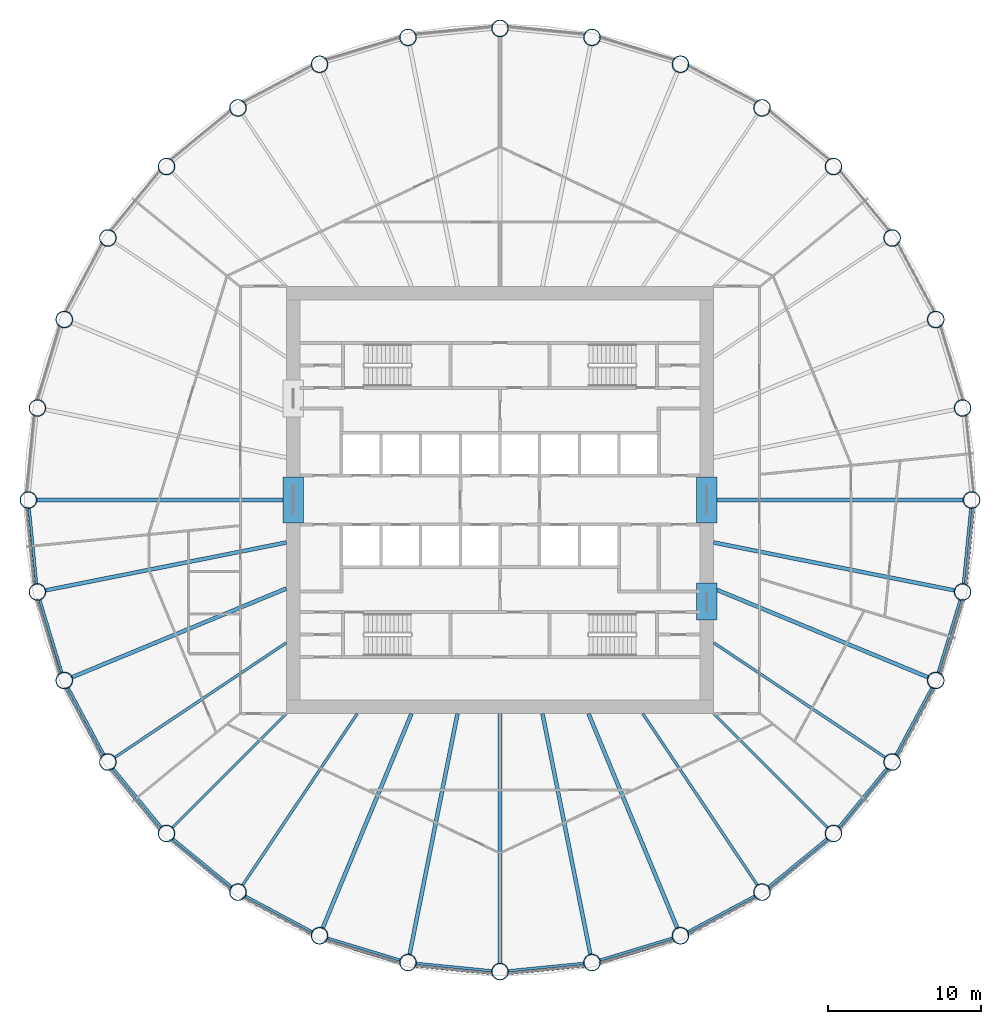
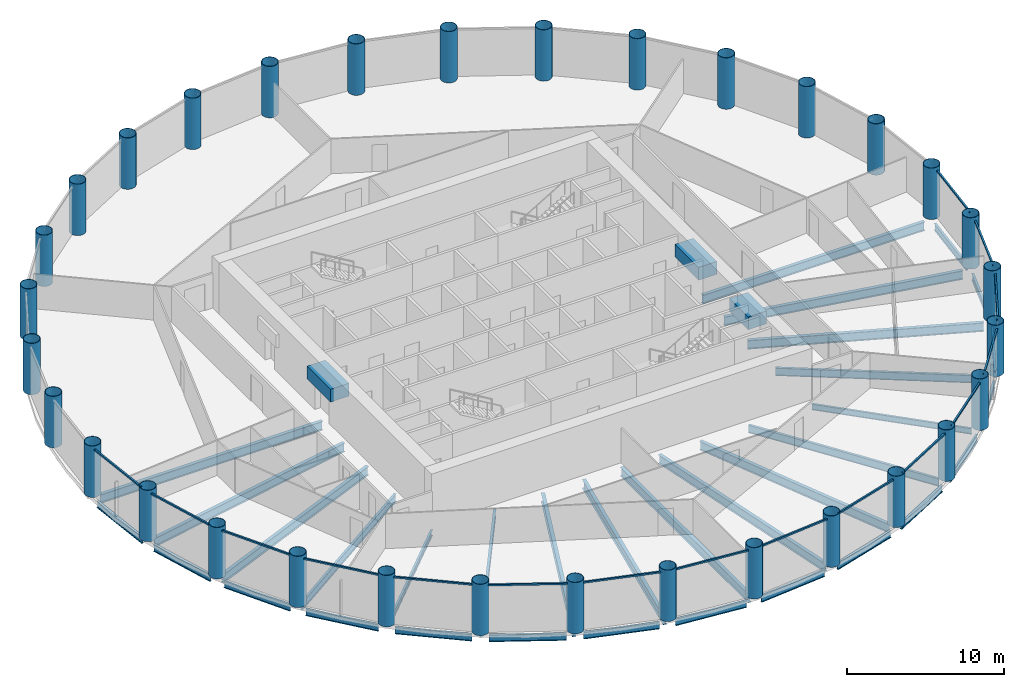
# One storey, part 1 of 9: 36 beams, 32 columns, 16 members, 16 elements without a shape of their own.
"""IFC4 building model written with IfcOpenShell, lengths in metres."""

from ifc_helpers import new_model, si_unit, direction, frame, origin, origin_2d, place, context, subcontext, project, spatial, rectangle, hollow_circle, i_section, extrude, material, material_profile, profile_set, type_object, element, aggregate, save


model = new_model("IFC4")

# Units and contexts
model_context = context("Model", 3, precision=1e-05, world=origin(), true_north=direction((0.0, 1.0)))
body_context = subcontext(model_context, "Body", "Model", "MODEL_VIEW")
ifc_project = project(units=[si_unit("LENGTHUNIT", "METRE"), si_unit("AREAUNIT", "SQUARE_METRE"), si_unit("VOLUMEUNIT", "CUBIC_METRE"), si_unit("PLANEANGLEUNIT", "RADIAN"), si_unit("MASSUNIT", "GRAM", prefix="KILO")], contexts=[model_context])

# Site, building, storey
site_placement = place(None, origin())
site = spatial("IfcSite", under=ifc_project, at=site_placement, CompositionType="ELEMENT")
building_placement = place(site_placement, origin())
building = spatial("IfcBuilding", under=site, at=building_placement, Name="Corvane Civic Tower", CompositionType="ELEMENT")
storey_placement = place(building_placement, frame((0.0, 0.0, 172.0)))
storey = spatial("IfcBuildingStorey", under=building, at=storey_placement, Name="L40", CompositionType="ELEMENT", Elevation=172.0)

# Columns
ifc_material_1 = material(Name="Steel ASTM A572 Gr 50", Category="steel")
ifc_material_profile_1 = material_profile(ifc_material_1, hollow_circle(Radius=0.550048828125, WallThickness=0.031982421875, at=origin_2d()), Name="CHS1100X32")
ifc_profile_set_1 = profile_set([ifc_material_profile_1], Name="Steel ASTM A572 Gr 50")
column_type = type_object("IfcColumnType", Name="COMPOSITE COLUMN CHS1100X32", PredefinedType="COLUMN", material=ifc_profile_set_1)
for number, where, z_axis, x_axis, name in (
    (1, (0.0, 30.89990234375, 0.0), (0.0, 0.0, 1.0), (1.0, 0.0, 0.0), "COL-L40-C01"),
    (2, (6.0283203125, 30.30615234375, 0.0), (0.0, 0.0, 1.0), (1.0, 0.0, 0.0), "COL-L40-C02"),
    (3, (11.824951171875, 28.5478515625, 0.0), (0.0, 0.0, 1.0), (1.0, 0.0, 0.0), "COL-L40-C03"),
    (4, (17.167236328125, 25.6923828125, 0.0), (0.0, 0.0, 1.0), (1.0, 0.0, 0.0), "COL-L40-C04"),
    (5, (21.849609375, 21.849609375, 0.0), (0.0, 0.0, 1.0), (1.0, 0.0, 0.0), "COL-L40-C05"),
    (6, (25.6923828125, 17.167236328125, 0.0), (0.0, 0.0, 1.0), (1.0, 0.0, 0.0), "COL-L40-C06"),
    (7, (28.5478515625, 11.824951171875, 0.0), (0.0, 0.0, 1.0), (1.0, 0.0, 0.0), "COL-L40-C07"),
    (8, (30.30615234375, 6.0283203125, 0.0), (0.0, 0.0, 1.0), (1.0, 0.0, 0.0), "COL-L40-C08"),
    (9, (30.89990234375, 0.0, 0.0), (0.0, 0.0, 1.0), (1.0, 0.0, 0.0), "COL-L40-C09"),
    (10, (30.30615234375, -6.0283203125, 0.0), (0.0, 0.0, 1.0), (1.0, 0.0, 0.0), "COL-L40-C10"),
    (11, (28.5478515625, -11.824951171875, 0.0), (0.0, 0.0, 1.0), (1.0, 0.0, 0.0), "COL-L40-C11"),
    (12, (25.6923828125, -17.167236328125, 0.0), (0.0, 0.0, 1.0), (1.0, 0.0, 0.0), "COL-L40-C12"),
    (13, (21.849609375, -21.849609375, 0.0), (0.0, 0.0, 1.0), (1.0, 0.0, 0.0), "COL-L40-C13"),
    (14, (17.167236328125, -25.6923828125, 0.0), (0.0, 0.0, 1.0), (1.0, 0.0, 0.0), "COL-L40-C14"),
    (15, (11.824951171875, -28.5478515625, 0.0), (0.0, 0.0, 1.0), (1.0, 0.0, 0.0), "COL-L40-C15"),
    (16, (6.0283203125, -30.30615234375, 0.0), (0.0, 0.0, 1.0), (1.0, 0.0, 0.0), "COL-L40-C16"),
    (17, (0.0, -30.89990234375, 0.0), (0.0, 0.0, 1.0), (1.0, 0.0, 0.0), "COL-L40-C17"),
    (18, (-6.0283203125, -30.30615234375, 0.0), (0.0, 0.0, 1.0), (1.0, 0.0, 0.0), "COL-L40-C18"),
    (19, (-11.824951171875, -28.5478515625, 0.0), (0.0, 0.0, 1.0), (1.0, 0.0, 0.0), "COL-L40-C19"),
    (20, (-17.167236328125, -25.6923828125, 0.0), (0.0, 0.0, 1.0), (1.0, 0.0, 0.0), "COL-L40-C20"),
    (21, (-21.849609375, -21.849609375, 0.0), (0.0, 0.0, 1.0), (1.0, 0.0, 0.0), "COL-L40-C21"),
    (22, (-25.6923828125, -17.167236328125, 0.0), (0.0, 0.0, 1.0), (1.0, 0.0, 0.0), "COL-L40-C22"),
    (23, (-28.5478515625, -11.824951171875, 0.0), (0.0, 0.0, 1.0), (1.0, 0.0, 0.0), "COL-L40-C23"),
    (24, (-30.30615234375, -6.0283203125, 0.0), (0.0, 0.0, 1.0), (1.0, 0.0, 0.0), "COL-L40-C24"),
    (25, (-30.89990234375, 0.0, 0.0), (0.0, 0.0, 1.0), (1.0, 0.0, 0.0), "COL-L40-C25"),
    (26, (-30.30615234375, 6.0283203125, 0.0), (0.0, 0.0, 1.0), (1.0, 0.0, 0.0), "COL-L40-C26"),
    (27, (-28.5478515625, 11.824951171875, 0.0), (0.0, 0.0, 1.0), (1.0, 0.0, 0.0), "COL-L40-C27"),
    (28, (-25.6923828125, 17.167236328125, 0.0), (0.0, 0.0, 1.0), (1.0, 0.0, 0.0), "COL-L40-C28"),
    (29, (-21.849609375, 21.849609375, 0.0), (0.0, 0.0, 1.0), (1.0, 0.0, 0.0), "COL-L40-C29"),
    (30, (-17.167236328125, 25.6923828125, 0.0), (0.0, 0.0, 1.0), (1.0, 0.0, 0.0), "COL-L40-C30"),
    (31, (-11.824951171875, 28.5478515625, 0.0), (0.0, 0.0, 1.0), (1.0, 0.0, 0.0), "COL-L40-C31"),
    (32, (-6.0283203125, 30.30615234375, 0.0), (0.0, 0.0, 1.0), (1.0, 0.0, 0.0), "COL-L40-C32"),
):
    element("IfcColumn", number, at=place(storey_placement, frame(where, z_axis=z_axis, x_axis=x_axis)), inside=storey, type_object=column_type, Name=name, PredefinedType="COLUMN", context=body_context, shape_type="SweptSolid", body=[
        extrude(hollow_circle(Radius=0.550048828125, WallThickness=0.031982421875, at=origin_2d()), origin(), (0.0, 0.0, 1.0), 4.0),
    ])

# Beams
ifc_material_2 = material(Name="Concrete C60/75", Category="concrete")
ifc_material_profile_2 = material_profile(ifc_material_2, rectangle(XDim=1.35009765625, YDim=1.0, at=origin_2d()), Name="COUPLING BEAM 1350X1000")
ifc_profile_set_2 = profile_set([ifc_material_profile_2], Name="Concrete C60/75")
beam_type_1 = type_object("IfcBeamType", Name="COUPLING BEAM COUPLING BEAM 1350X1000", PredefinedType="BEAM", material=ifc_profile_set_2)
for number, where, z_axis, x_axis, name in (
    (33, (-13.550048828125, -1.5, 2.60009765625), (0.0, 1.0, 0.0), (-1.0, 0.0, 0.0), "BM-L40-cpl-CW-LW"),
    (34, (13.550048828125, -1.5, 2.60009765625), (0.0, 1.0, 0.0), (-1.0, 0.0, 0.0), "BM-L40-cpl-CW-LE"),
):
    element("IfcBeam", number, at=place(storey_placement, frame(where, z_axis=z_axis, x_axis=x_axis)), inside=storey, type_object=beam_type_1, Name=name, PredefinedType="BEAM", context=body_context, shape_type="SweptSolid", body=[
        extrude(rectangle(XDim=1.35009765625, YDim=1.0, at=origin_2d()), origin(), (0.0, 0.0, 1.0), 3.0),
    ])
beam_1_placement = place(storey_placement, frame((13.550048828125, -7.85009765625, 2.60009765625), z_axis=(0.0, 1.0, 0.0), x_axis=(-1.0, 0.0, 0.0)))
element("IfcBeam", 35, at=beam_1_placement, inside=storey, type_object=beam_type_1, Name="BM-L40-cpl-CW-ES", PredefinedType="BEAM", context=body_context, shape_type="SweptSolid", body=[
    extrude(rectangle(XDim=1.35009765625, YDim=1.0, at=origin_2d()), origin(), (0.0, 0.0, 1.0), 2.400146484375),
])
ifc_material_3 = material(Name="Steel ASTM A992 Gr 50", Category="steel")
ifc_material_profile_3 = material_profile(ifc_material_3, i_section(OverallWidth=0.165771484375, OverallDepth=0.5283203125, WebThickness=0.009765625, FlangeThickness=0.013671875, at=origin_2d()), Name="W21X50")
ifc_profile_set_3 = profile_set([ifc_material_profile_3], Name="Steel ASTM A992 Gr 50")
beam_type_2 = type_object("IfcBeamType", Name="EDGE BEAM W21X50", PredefinedType="BEAM", material=ifc_profile_set_3)
beam_2_placement = place(storey_placement, frame((30.845947265625, -0.54736328125, -0.564208984375), z_axis=(-0.09800181167, -0.995186236294, 0.0), x_axis=(0.995186236294, -0.09800181167, 0.0)))
element("IfcBeam", 36, at=beam_2_placement, inside=storey, type_object=beam_type_2, Name="BM-L40-E09", PredefinedType="BEAM", context=body_context, shape_type="SweptSolid", body=[
    extrude(i_section(OverallWidth=0.165771484375, OverallDepth=0.5283203125, WebThickness=0.009765625, FlangeThickness=0.013671875, at=origin_2d()), origin(), (0.0, 0.0, 1.0), 4.95751953125),
])
beam_3_placement = place(storey_placement, frame((30.146484375, -6.5546875, -0.564208984375), z_axis=(-0.290269821381, -0.956944842086, 0.0), x_axis=(0.956944842086, -0.290269821381, 0.0)))
element("IfcBeam", 37, at=beam_3_placement, inside=storey, type_object=beam_type_2, Name="BM-L40-E10", PredefinedType="BEAM", context=body_context, shape_type="SweptSolid", body=[
    extrude(i_section(OverallWidth=0.165771484375, OverallDepth=0.5283203125, WebThickness=0.009765625, FlangeThickness=0.013671875, at=origin_2d()), origin(), (0.0, 0.0, 1.0), 4.957275390625),
])
for number, where, z_axis, x_axis, name in (
    (38, (28.28857421875, -12.31005859375, -0.564208984375), (-0.471395763042, -0.881921784846, 0.0), (0.881921784846, -0.471395763042, 0.0), "BM-L40-E11"),
    (39, (25.343505859375, -17.59228515625, -0.564208984375), (-0.634387546532, -0.77301516208, 0.0), (0.77301516208, -0.634387546532, 0.0), "BM-L40-E12"),
    (40, (21.424560546875, -22.198486328125, -0.564208984375), (-0.77301516208, -0.634387546532, 0.0), (0.634387546532, -0.77301516208, 0.0), "BM-L40-E13"),
    (41, (16.68212890625, -25.95166015625, -0.564208984375), (-0.881921784846, -0.471395763042, 0.0), (0.471395763042, -0.881921784846, 0.0), "BM-L40-E14"),
):
    element("IfcBeam", number, at=place(storey_placement, frame(where, z_axis=z_axis, x_axis=x_axis)), inside=storey, type_object=beam_type_2, Name=name, PredefinedType="BEAM", context=body_context, shape_type="SweptSolid", body=[
        extrude(i_section(OverallWidth=0.165771484375, OverallDepth=0.5283203125, WebThickness=0.009765625, FlangeThickness=0.013671875, at=origin_2d()), origin(), (0.0, 0.0, 1.0), 4.95751953125),
    ])
beam_4_placement = place(storey_placement, frame((11.298583984375, -28.70751953125, -0.564208984375), z_axis=(-0.956944842086, -0.290269821381, 0.0), x_axis=(0.290269821381, -0.956944842086, 0.0)))
element("IfcBeam", 42, at=beam_4_placement, inside=storey, type_object=beam_type_2, Name="BM-L40-E15", PredefinedType="BEAM", context=body_context, shape_type="SweptSolid", body=[
    extrude(i_section(OverallWidth=0.165771484375, OverallDepth=0.5283203125, WebThickness=0.009765625, FlangeThickness=0.013671875, at=origin_2d()), origin(), (0.0, 0.0, 1.0), 4.957275390625),
])
for number, where, z_axis, x_axis, name in (
    (43, (5.48095703125, -30.360107421875, -0.564208984375), (-0.995186236294, -0.09800181167, 0.0), (0.09800181167, -0.995186236294, 0.0), "BM-L40-E16"),
    (44, (-0.54736328125, -30.845947265625, -0.564208984375), (-0.995186236294, 0.09800181167, 0.0), (-0.09800181167, -0.995186236294, 0.0), "BM-L40-E17"),
):
    element("IfcBeam", number, at=place(storey_placement, frame(where, z_axis=z_axis, x_axis=x_axis)), inside=storey, type_object=beam_type_2, Name=name, PredefinedType="BEAM", context=body_context, shape_type="SweptSolid", body=[
        extrude(i_section(OverallWidth=0.165771484375, OverallDepth=0.5283203125, WebThickness=0.009765625, FlangeThickness=0.013671875, at=origin_2d()), origin(), (0.0, 0.0, 1.0), 4.95751953125),
    ])
beam_5_placement = place(storey_placement, frame((-6.5546875, -30.146484375, -0.564208984375), z_axis=(-0.956944842086, 0.290269821381, 0.0), x_axis=(-0.290269821381, -0.956944842086, 0.0)))
element("IfcBeam", 45, at=beam_5_placement, inside=storey, type_object=beam_type_2, Name="BM-L40-E18", PredefinedType="BEAM", context=body_context, shape_type="SweptSolid", body=[
    extrude(i_section(OverallWidth=0.165771484375, OverallDepth=0.5283203125, WebThickness=0.009765625, FlangeThickness=0.013671875, at=origin_2d()), origin(), (0.0, 0.0, 1.0), 4.957275390625),
])
for number, where, z_axis, x_axis, name in (
    (46, (-12.31005859375, -28.28857421875, -0.564208984375), (-0.881921784846, 0.471395763042, 0.0), (-0.471395763042, -0.881921784846, 0.0), "BM-L40-E19"),
    (47, (-17.59228515625, -25.343505859375, -0.564208984375), (-0.77301516208, 0.634387546532, 0.0), (-0.634387546532, -0.77301516208, 0.0), "BM-L40-E20"),
    (48, (-22.198486328125, -21.424560546875, -0.564208984375), (-0.634387546532, 0.77301516208, 0.0), (-0.77301516208, -0.634387546532, 0.0), "BM-L40-E21"),
    (49, (-25.95166015625, -16.68212890625, -0.564208984375), (-0.471395763042, 0.881921784846, 0.0), (-0.881921784846, -0.471395763042, 0.0), "BM-L40-E22"),
):
    element("IfcBeam", number, at=place(storey_placement, frame(where, z_axis=z_axis, x_axis=x_axis)), inside=storey, type_object=beam_type_2, Name=name, PredefinedType="BEAM", context=body_context, shape_type="SweptSolid", body=[
        extrude(i_section(OverallWidth=0.165771484375, OverallDepth=0.5283203125, WebThickness=0.009765625, FlangeThickness=0.013671875, at=origin_2d()), origin(), (0.0, 0.0, 1.0), 4.95751953125),
    ])
beam_6_placement = place(storey_placement, frame((-28.70751953125, -11.298583984375, -0.564208984375), z_axis=(-0.290269821381, 0.956944842086, 0.0), x_axis=(-0.956944842086, -0.290269821381, 0.0)))
element("IfcBeam", 50, at=beam_6_placement, inside=storey, type_object=beam_type_2, Name="BM-L40-E23", PredefinedType="BEAM", context=body_context, shape_type="SweptSolid", body=[
    extrude(i_section(OverallWidth=0.165771484375, OverallDepth=0.5283203125, WebThickness=0.009765625, FlangeThickness=0.013671875, at=origin_2d()), origin(), (0.0, 0.0, 1.0), 4.957275390625),
])
beam_7_placement = place(storey_placement, frame((-30.360107421875, -5.48095703125, -0.564208984375), z_axis=(-0.09800181167, 0.995186236294, 0.0), x_axis=(-0.995186236294, -0.09800181167, 0.0)))
element("IfcBeam", 51, at=beam_7_placement, inside=storey, type_object=beam_type_2, Name="BM-L40-E24", PredefinedType="BEAM", context=body_context, shape_type="SweptSolid", body=[
    extrude(i_section(OverallWidth=0.165771484375, OverallDepth=0.5283203125, WebThickness=0.009765625, FlangeThickness=0.013671875, at=origin_2d()), origin(), (0.0, 0.0, 1.0), 4.95751953125),
])
ifc_material_4 = material(Name="Steel ASTM A992 Gr 50", Category="steel")
ifc_material_profile_4 = material_profile(ifc_material_4, i_section(OverallWidth=0.15283203125, OverallDepth=0.45458984375, WebThickness=0.008056640625, FlangeThickness=0.013427734375, at=origin_2d()), Name="W18X40")
ifc_profile_set_4 = profile_set([ifc_material_profile_4], Name="Steel ASTM A992 Gr 50")
beam_type_3 = type_object("IfcBeamType", Name="FLOOR GIRDER W18X40", PredefinedType="BEAM", material=ifc_profile_set_4)
for number, where, z_axis, x_axis, name in (
    (52, (14.0, -14.0, -0.52734375), (0.707106781187, -0.707106781187, 0.0), (0.707106781187, 0.707106781187, 0.0), "BM-L40-G13"),
    (53, (-14.0, -14.0, -0.52734375), (-0.707106781187, -0.707106781187, 0.0), (0.707106781187, -0.707106781187, 0.0), "BM-L40-G21"),
):
    element("IfcBeam", number, at=place(storey_placement, frame(where, z_axis=z_axis, x_axis=x_axis)), inside=storey, type_object=beam_type_3, Name=name, PredefinedType="BEAM", context=body_context, shape_type="SweptSolid", body=[
        extrude(i_section(OverallWidth=0.15283203125, OverallDepth=0.45458984375, WebThickness=0.008056640625, FlangeThickness=0.013427734375, at=origin_2d()), origin(), (0.0, 0.0, 1.0), 10.551025390625),
    ])
ifc_material_5 = material(Name="Steel ASTM A992 Gr 50", Category="steel")
ifc_material_profile_5 = material_profile(ifc_material_5, i_section(OverallWidth=0.177978515625, OverallDepth=0.599365234375, WebThickness=0.010009765625, FlangeThickness=0.012939453125, at=origin_2d()), Name="W24X55")
ifc_profile_set_5 = profile_set([ifc_material_profile_5], Name="Steel ASTM A992 Gr 50")
beam_type_4 = type_object("IfcBeamType", Name="FLOOR GIRDER W24X55", PredefinedType="BEAM", material=ifc_profile_set_5)
for number, where, z_axis, x_axis, name in (
    (54, (14.0, -9.3544921875, -0.599609375), (0.83146888399, -0.555571323015, 0.0), (0.555571323015, 0.83146888399, 0.0), "BM-L40-G12"),
    (55, (9.3544921875, -14.0, -0.599609375), (0.555571323015, -0.83146888399, 0.0), (0.83146888399, 0.555571323015, 0.0), "BM-L40-G14"),
    (56, (-9.3544921875, -14.0, -0.599609375), (-0.555571323015, -0.83146888399, 0.0), (0.83146888399, -0.555571323015, 0.0), "BM-L40-G20"),
    (57, (-14.0, -9.3544921875, -0.599609375), (-0.83146888399, -0.555571323015, 0.0), (0.555571323015, -0.83146888399, 0.0), "BM-L40-G22"),
):
    element("IfcBeam", number, at=place(storey_placement, frame(where, z_axis=z_axis, x_axis=x_axis)), inside=storey, type_object=beam_type_4, Name=name, PredefinedType="BEAM", context=body_context, shape_type="SweptSolid", body=[
        extrude(i_section(OverallWidth=0.177978515625, OverallDepth=0.599365234375, WebThickness=0.010009765625, FlangeThickness=0.012939453125, at=origin_2d()), origin(), (0.0, 0.0, 1.0), 13.512451171875),
    ])
ifc_material_6 = material(Name="Steel ASTM A992 Gr 50", Category="steel")
ifc_material_profile_6 = material_profile(ifc_material_6, i_section(OverallWidth=0.25390625, OverallDepth=0.67822265625, WebThickness=0.01171875, FlangeThickness=0.016357421875, at=origin_2d()), Name="W27X84")
ifc_profile_set_6 = profile_set([ifc_material_profile_6], Name="Steel ASTM A992 Gr 50")
beam_type_5 = type_object("IfcBeamType", Name="FLOOR GIRDER W27X84", PredefinedType="BEAM", material=ifc_profile_set_6)
beam_8_placement = place(storey_placement, frame((14.0, 0.0, -0.63916015625), z_axis=(1.0, 0.0, 0.0), x_axis=(0.0, 1.0, 0.0)))
element("IfcBeam", 58, at=beam_8_placement, inside=storey, type_object=beam_type_5, Name="BM-L40-G09", PredefinedType="BEAM", context=body_context, shape_type="SweptSolid", body=[
    extrude(i_section(OverallWidth=0.25390625, OverallDepth=0.67822265625, WebThickness=0.01171875, FlangeThickness=0.016357421875, at=origin_2d()), origin(), (0.0, 0.0, 1.0), 16.35009765625),
])
beam_9_placement = place(storey_placement, frame((14.0, -2.78466796875, -0.63916015625), z_axis=(0.980785162999, -0.195090912248, 0.0), x_axis=(0.195090912248, 0.980785162999, 0.0)))
element("IfcBeam", 59, at=beam_9_placement, inside=storey, type_object=beam_type_5, Name="BM-L40-G10", PredefinedType="BEAM", context=body_context, shape_type="SweptSolid", body=[
    extrude(i_section(OverallWidth=0.25390625, OverallDepth=0.67822265625, WebThickness=0.01171875, FlangeThickness=0.016357421875, at=origin_2d()), origin(), (0.0, 0.0, 1.0), 16.07568359375),
])
for number, where, z_axis, x_axis, name in (
    (60, (14.0, -5.799072265625, -0.63916015625), (0.923880551114, -0.38268097323, 0.0), (0.38268097323, 0.923880551114, 0.0), "BM-L40-G11"),
    (61, (5.799072265625, -14.0, -0.63916015625), (0.38268097323, -0.923880551114, 0.0), (0.923880551114, 0.38268097323, 0.0), "BM-L40-G15"),
):
    element("IfcBeam", number, at=place(storey_placement, frame(where, z_axis=z_axis, x_axis=x_axis)), inside=storey, type_object=beam_type_5, Name=name, PredefinedType="BEAM", context=body_context, shape_type="SweptSolid", body=[
        extrude(i_section(OverallWidth=0.25390625, OverallDepth=0.67822265625, WebThickness=0.01171875, FlangeThickness=0.016357421875, at=origin_2d()), origin(), (0.0, 0.0, 1.0), 15.196533203125),
    ])
beam_10_placement = place(storey_placement, frame((2.78466796875, -14.0, -0.63916015625), z_axis=(0.195090912248, -0.980785162999, 0.0), x_axis=(0.980785162999, 0.195090912248, 0.0)))
element("IfcBeam", 62, at=beam_10_placement, inside=storey, type_object=beam_type_5, Name="BM-L40-G16", PredefinedType="BEAM", context=body_context, shape_type="SweptSolid", body=[
    extrude(i_section(OverallWidth=0.25390625, OverallDepth=0.67822265625, WebThickness=0.01171875, FlangeThickness=0.016357421875, at=origin_2d()), origin(), (0.0, 0.0, 1.0), 16.07568359375),
])
beam_11_placement = place(storey_placement, frame((0.0, -14.0, -0.63916015625), z_axis=(0.0, -1.0, 0.0), x_axis=(1.0, 0.0, 0.0)))
element("IfcBeam", 63, at=beam_11_placement, inside=storey, type_object=beam_type_5, Name="BM-L40-G17", PredefinedType="BEAM", context=body_context, shape_type="SweptSolid", body=[
    extrude(i_section(OverallWidth=0.25390625, OverallDepth=0.67822265625, WebThickness=0.01171875, FlangeThickness=0.016357421875, at=origin_2d()), origin(), (0.0, 0.0, 1.0), 16.35009765625),
])
beam_12_placement = place(storey_placement, frame((-2.78466796875, -14.0, -0.63916015625), z_axis=(-0.195090912248, -0.980785162999, 0.0), x_axis=(0.980785162999, -0.195090912248, 0.0)))
element("IfcBeam", 64, at=beam_12_placement, inside=storey, type_object=beam_type_5, Name="BM-L40-G18", PredefinedType="BEAM", context=body_context, shape_type="SweptSolid", body=[
    extrude(i_section(OverallWidth=0.25390625, OverallDepth=0.67822265625, WebThickness=0.01171875, FlangeThickness=0.016357421875, at=origin_2d()), origin(), (0.0, 0.0, 1.0), 16.07568359375),
])
for number, where, z_axis, x_axis, name in (
    (65, (-5.799072265625, -14.0, -0.63916015625), (-0.38268097323, -0.923880551114, 0.0), (0.923880551114, -0.38268097323, 0.0), "BM-L40-G19"),
    (66, (-14.0, -5.799072265625, -0.63916015625), (-0.923880551114, -0.38268097323, 0.0), (0.38268097323, -0.923880551114, 0.0), "BM-L40-G23"),
):
    element("IfcBeam", number, at=place(storey_placement, frame(where, z_axis=z_axis, x_axis=x_axis)), inside=storey, type_object=beam_type_5, Name=name, PredefinedType="BEAM", context=body_context, shape_type="SweptSolid", body=[
        extrude(i_section(OverallWidth=0.25390625, OverallDepth=0.67822265625, WebThickness=0.01171875, FlangeThickness=0.016357421875, at=origin_2d()), origin(), (0.0, 0.0, 1.0), 15.196533203125),
    ])
beam_13_placement = place(storey_placement, frame((-14.0, -2.78466796875, -0.63916015625), z_axis=(-0.980785162999, -0.195090912248, 0.0), x_axis=(0.195090912248, -0.980785162999, 0.0)))
element("IfcBeam", 67, at=beam_13_placement, inside=storey, type_object=beam_type_5, Name="BM-L40-G24", PredefinedType="BEAM", context=body_context, shape_type="SweptSolid", body=[
    extrude(i_section(OverallWidth=0.25390625, OverallDepth=0.67822265625, WebThickness=0.01171875, FlangeThickness=0.016357421875, at=origin_2d()), origin(), (0.0, 0.0, 1.0), 16.07568359375),
])
beam_14_placement = place(storey_placement, frame((-14.0, 0.0, -0.63916015625), z_axis=(-1.0, 0.0, 0.0), x_axis=(0.0, -1.0, 0.0)))
element("IfcBeam", 68, at=beam_14_placement, inside=storey, type_object=beam_type_5, Name="BM-L40-G25", PredefinedType="BEAM", context=body_context, shape_type="SweptSolid", body=[
    extrude(i_section(OverallWidth=0.25390625, OverallDepth=0.67822265625, WebThickness=0.01171875, FlangeThickness=0.016357421875, at=origin_2d()), origin(), (0.0, 0.0, 1.0), 16.35009765625),
])

# Curtain wall, member
ifc_material_7 = material(Name="Anodised aluminium bronze", Category="aluminium")
curtain_wall_type = type_object("IfcCurtainWallType", Name="TOWER CW-T2 STICK CURTAIN WALL", PredefinedType="NOTDEFINED", material=ifc_material_7)
curtain_wall_1_placement = place(storey_placement, origin())
curtain_wall_1 = element("IfcCurtainWall", 69, at=curtain_wall_1_placement, inside=storey, type_object=curtain_wall_type, Name="Curtain wall CW-T2 L40 bay 09", PredefinedType="NOTDEFINED")
ifc_material_8 = material(Name="Anodised aluminium bronze", Category="aluminium")
ifc_material_profile_7 = material_profile(ifc_material_8, rectangle(XDim=0.1201171875, YDim=0.1201171875, at=origin_2d()), Name="TOWER CW-T2 TRANSOM 120x120")
ifc_profile_set_7 = profile_set([ifc_material_profile_7], Name="Anodised aluminium bronze")
member_type = type_object("IfcMemberType", Name="TOWER CW-T2 TRANSOM 120x120", PredefinedType="USERDEFINED", material=ifc_profile_set_7)
member_1_placement = place(storey_placement, frame((31.0302734375, -0.505126953125, 3.68994140625), z_axis=(-0.097989755963, -0.995187423416, 0.0), x_axis=(0.995187423416, -0.097989755963, 0.0)))
member_1 = element("IfcMember", 70, at=member_1_placement, type_object=member_type, Name="Transom CW-T2 L40 09.1", ObjectType="TRANSOM", PredefinedType="USERDEFINED", context=body_context, shape_type="SweptSolid", body=[
    extrude(rectangle(XDim=0.1201171875, YDim=0.1201171875, at=origin_2d()), origin(), (0.0, 0.0, 1.0), 5.07763671875),
])
aggregate(curtain_wall_1, [member_1])

curtain_wall_2_placement = place(storey_placement, origin())
curtain_wall_2 = element("IfcCurtainWall", 71, at=curtain_wall_2_placement, inside=storey, type_object=curtain_wall_type, Name="Curtain wall CW-T2 L40 bay 10", PredefinedType="NOTDEFINED")
member_2_placement = place(storey_placement, frame((30.33544921875, -6.54931640625, 3.68994140625), z_axis=(-0.290288977061, -0.956939031389, 0.0), x_axis=(0.956939031389, -0.290288977061, 0.0)))
member_2 = element("IfcMember", 72, at=member_2_placement, type_object=member_type, Name="Transom CW-T2 L40 10.1", ObjectType="TRANSOM", PredefinedType="USERDEFINED", context=body_context, shape_type="SweptSolid", body=[
    extrude(rectangle(XDim=0.1201171875, YDim=0.1201171875, at=origin_2d()), origin(), (0.0, 0.0, 1.0), 5.077392578125),
])
aggregate(curtain_wall_2, [member_2])

curtain_wall_3_placement = place(storey_placement, origin())
curtain_wall_3 = element("IfcCurtainWall", 73, at=curtain_wall_3_placement, inside=storey, type_object=curtain_wall_type, Name="Curtain wall CW-T2 L40 bay 11", PredefinedType="NOTDEFINED")
member_3_placement = place(storey_placement, frame((28.474853515625, -12.341552734375, 3.68994140625), z_axis=(-0.471396615074, -0.881921329426, 0.0), x_axis=(0.881921329426, -0.471396615074, 0.0)))
member_3 = element("IfcMember", 74, at=member_3_placement, type_object=member_type, Name="Transom CW-T2 L40 11.1", ObjectType="TRANSOM", PredefinedType="USERDEFINED", context=body_context, shape_type="SweptSolid", body=[
    extrude(rectangle(XDim=0.1201171875, YDim=0.1201171875, at=origin_2d()), origin(), (0.0, 0.0, 1.0), 5.07763671875),
])
aggregate(curtain_wall_3, [member_3])

curtain_wall_4_placement = place(storey_placement, origin())
curtain_wall_4 = element("IfcCurtainWall", 75, at=curtain_wall_4_placement, inside=storey, type_object=curtain_wall_type, Name="Curtain wall CW-T2 L40 bay 12", PredefinedType="NOTDEFINED")
member_4_placement = place(storey_placement, frame((25.519775390625, -17.65966796875, 3.68994140625), z_axis=(-0.634386611146, -0.773015929719, 0.0), x_axis=(0.773015929719, -0.634386611146, 0.0)))
member_4 = element("IfcMember", 76, at=member_4_placement, type_object=member_type, Name="Transom CW-T2 L40 12.1", ObjectType="TRANSOM", PredefinedType="USERDEFINED", context=body_context, shape_type="SweptSolid", body=[
    extrude(rectangle(XDim=0.1201171875, YDim=0.1201171875, at=origin_2d()), origin(), (0.0, 0.0, 1.0), 5.0771484375),
])
aggregate(curtain_wall_4, [member_4])

curtain_wall_5_placement = place(storey_placement, origin())
curtain_wall_5 = element("IfcCurtainWall", 77, at=curtain_wall_5_placement, inside=storey, type_object=curtain_wall_type, Name="Curtain wall CW-T2 L40 bay 13", PredefinedType="NOTDEFINED")
member_5_placement = place(storey_placement, frame((21.58447265625, -22.298828125, 3.68994140625), z_axis=(-0.773015929719, -0.634386611146, 0.0), x_axis=(0.634386611146, -0.773015929719, 0.0)))
member_5 = element("IfcMember", 78, at=member_5_placement, type_object=member_type, Name="Transom CW-T2 L40 13.1", ObjectType="TRANSOM", PredefinedType="USERDEFINED", context=body_context, shape_type="SweptSolid", body=[
    extrude(rectangle(XDim=0.1201171875, YDim=0.1201171875, at=origin_2d()), origin(), (0.0, 0.0, 1.0), 5.0771484375),
])
aggregate(curtain_wall_5, [member_5])

curtain_wall_6_placement = place(storey_placement, origin())
curtain_wall_6 = element("IfcCurtainWall", 79, at=curtain_wall_6_placement, inside=storey, type_object=curtain_wall_type, Name="Curtain wall CW-T2 L40 bay 14", PredefinedType="NOTDEFINED")
member_6_placement = place(storey_placement, frame((16.819580078125, -26.081298828125, 3.68994140625), z_axis=(-0.881921329426, -0.471396615074, 0.0), x_axis=(0.471396615074, -0.881921329426, 0.0)))
member_6 = element("IfcMember", 80, at=member_6_placement, type_object=member_type, Name="Transom CW-T2 L40 14.1", ObjectType="TRANSOM", PredefinedType="USERDEFINED", context=body_context, shape_type="SweptSolid", body=[
    extrude(rectangle(XDim=0.1201171875, YDim=0.1201171875, at=origin_2d()), origin(), (0.0, 0.0, 1.0), 5.07763671875),
])
aggregate(curtain_wall_6, [member_6])

curtain_wall_7_placement = place(storey_placement, origin())
curtain_wall_7 = element("IfcCurtainWall", 81, at=curtain_wall_7_placement, inside=storey, type_object=curtain_wall_type, Name="Curtain wall CW-T2 L40 bay 15", PredefinedType="NOTDEFINED")
member_7_placement = place(storey_placement, frame((11.407958984375, -28.861572265625, 3.68994140625), z_axis=(-0.956939031389, -0.290288977061, 0.0), x_axis=(0.290288977061, -0.956939031389, 0.0)))
member_7 = element("IfcMember", 82, at=member_7_placement, type_object=member_type, Name="Transom CW-T2 L40 15.1", ObjectType="TRANSOM", PredefinedType="USERDEFINED", context=body_context, shape_type="SweptSolid", body=[
    extrude(rectangle(XDim=0.1201171875, YDim=0.1201171875, at=origin_2d()), origin(), (0.0, 0.0, 1.0), 5.077392578125),
])
aggregate(curtain_wall_7, [member_7])

curtain_wall_8_placement = place(storey_placement, origin())
curtain_wall_8 = element("IfcCurtainWall", 83, at=curtain_wall_8_placement, inside=storey, type_object=curtain_wall_type, Name="Curtain wall CW-T2 L40 bay 16", PredefinedType="NOTDEFINED")
member_8_placement = place(storey_placement, frame((5.558349609375, -30.53271484375, 3.68994140625), z_axis=(-0.995187423416, -0.097989755963, 0.0), x_axis=(0.097989755963, -0.995187423416, 0.0)))
member_8 = element("IfcMember", 84, at=member_8_placement, type_object=member_type, Name="Transom CW-T2 L40 16.1", ObjectType="TRANSOM", PredefinedType="USERDEFINED", context=body_context, shape_type="SweptSolid", body=[
    extrude(rectangle(XDim=0.1201171875, YDim=0.1201171875, at=origin_2d()), origin(), (0.0, 0.0, 1.0), 5.07763671875),
])
aggregate(curtain_wall_8, [member_8])

curtain_wall_9_placement = place(storey_placement, origin())
curtain_wall_9 = element("IfcCurtainWall", 85, at=curtain_wall_9_placement, inside=storey, type_object=curtain_wall_type, Name="Curtain wall CW-T2 L40 bay 17", PredefinedType="NOTDEFINED")
member_9_placement = place(storey_placement, frame((-0.505126953125, -31.0302734375, 3.68994140625), z_axis=(-0.995187423416, 0.097989755963, 0.0), x_axis=(-0.097989755963, -0.995187423416, 0.0)))
member_9 = element("IfcMember", 86, at=member_9_placement, type_object=member_type, Name="Transom CW-T2 L40 17.1", ObjectType="TRANSOM", PredefinedType="USERDEFINED", context=body_context, shape_type="SweptSolid", body=[
    extrude(rectangle(XDim=0.1201171875, YDim=0.1201171875, at=origin_2d()), origin(), (0.0, 0.0, 1.0), 5.07763671875),
])
aggregate(curtain_wall_9, [member_9])

curtain_wall_10_placement = place(storey_placement, origin())
curtain_wall_10 = element("IfcCurtainWall", 87, at=curtain_wall_10_placement, inside=storey, type_object=curtain_wall_type, Name="Curtain wall CW-T2 L40 bay 18", PredefinedType="NOTDEFINED")
member_10_placement = place(storey_placement, frame((-6.54931640625, -30.33544921875, 3.68994140625), z_axis=(-0.956939031389, 0.290288977061, 0.0), x_axis=(-0.290288977061, -0.956939031389, 0.0)))
member_10 = element("IfcMember", 88, at=member_10_placement, type_object=member_type, Name="Transom CW-T2 L40 18.1", ObjectType="TRANSOM", PredefinedType="USERDEFINED", context=body_context, shape_type="SweptSolid", body=[
    extrude(rectangle(XDim=0.1201171875, YDim=0.1201171875, at=origin_2d()), origin(), (0.0, 0.0, 1.0), 5.077392578125),
])
aggregate(curtain_wall_10, [member_10])

curtain_wall_11_placement = place(storey_placement, origin())
curtain_wall_11 = element("IfcCurtainWall", 89, at=curtain_wall_11_placement, inside=storey, type_object=curtain_wall_type, Name="Curtain wall CW-T2 L40 bay 19", PredefinedType="NOTDEFINED")
member_11_placement = place(storey_placement, frame((-12.341552734375, -28.474853515625, 3.68994140625), z_axis=(-0.881921329426, 0.471396615074, 0.0), x_axis=(-0.471396615074, -0.881921329426, 0.0)))
member_11 = element("IfcMember", 90, at=member_11_placement, type_object=member_type, Name="Transom CW-T2 L40 19.1", ObjectType="TRANSOM", PredefinedType="USERDEFINED", context=body_context, shape_type="SweptSolid", body=[
    extrude(rectangle(XDim=0.1201171875, YDim=0.1201171875, at=origin_2d()), origin(), (0.0, 0.0, 1.0), 5.07763671875),
])
aggregate(curtain_wall_11, [member_11])

curtain_wall_12_placement = place(storey_placement, origin())
curtain_wall_12 = element("IfcCurtainWall", 91, at=curtain_wall_12_placement, inside=storey, type_object=curtain_wall_type, Name="Curtain wall CW-T2 L40 bay 20", PredefinedType="NOTDEFINED")
member_12_placement = place(storey_placement, frame((-17.65966796875, -25.519775390625, 3.68994140625), z_axis=(-0.773015929719, 0.634386611146, 0.0), x_axis=(-0.634386611146, -0.773015929719, 0.0)))
member_12 = element("IfcMember", 92, at=member_12_placement, type_object=member_type, Name="Transom CW-T2 L40 20.1", ObjectType="TRANSOM", PredefinedType="USERDEFINED", context=body_context, shape_type="SweptSolid", body=[
    extrude(rectangle(XDim=0.1201171875, YDim=0.1201171875, at=origin_2d()), origin(), (0.0, 0.0, 1.0), 5.0771484375),
])
aggregate(curtain_wall_12, [member_12])

curtain_wall_13_placement = place(storey_placement, origin())
curtain_wall_13 = element("IfcCurtainWall", 93, at=curtain_wall_13_placement, inside=storey, type_object=curtain_wall_type, Name="Curtain wall CW-T2 L40 bay 21", PredefinedType="NOTDEFINED")
member_13_placement = place(storey_placement, frame((-22.298828125, -21.58447265625, 3.68994140625), z_axis=(-0.634386611146, 0.773015929719, 0.0), x_axis=(-0.773015929719, -0.634386611146, 0.0)))
member_13 = element("IfcMember", 94, at=member_13_placement, type_object=member_type, Name="Transom CW-T2 L40 21.1", ObjectType="TRANSOM", PredefinedType="USERDEFINED", context=body_context, shape_type="SweptSolid", body=[
    extrude(rectangle(XDim=0.1201171875, YDim=0.1201171875, at=origin_2d()), origin(), (0.0, 0.0, 1.0), 5.0771484375),
])
aggregate(curtain_wall_13, [member_13])

curtain_wall_14_placement = place(storey_placement, origin())
curtain_wall_14 = element("IfcCurtainWall", 95, at=curtain_wall_14_placement, inside=storey, type_object=curtain_wall_type, Name="Curtain wall CW-T2 L40 bay 22", PredefinedType="NOTDEFINED")
member_14_placement = place(storey_placement, frame((-26.081298828125, -16.819580078125, 3.68994140625), z_axis=(-0.471396615074, 0.881921329426, 0.0), x_axis=(-0.881921329426, -0.471396615074, 0.0)))
member_14 = element("IfcMember", 96, at=member_14_placement, type_object=member_type, Name="Transom CW-T2 L40 22.1", ObjectType="TRANSOM", PredefinedType="USERDEFINED", context=body_context, shape_type="SweptSolid", body=[
    extrude(rectangle(XDim=0.1201171875, YDim=0.1201171875, at=origin_2d()), origin(), (0.0, 0.0, 1.0), 5.07763671875),
])
aggregate(curtain_wall_14, [member_14])

curtain_wall_15_placement = place(storey_placement, origin())
curtain_wall_15 = element("IfcCurtainWall", 97, at=curtain_wall_15_placement, inside=storey, type_object=curtain_wall_type, Name="Curtain wall CW-T2 L40 bay 23", PredefinedType="NOTDEFINED")
member_15_placement = place(storey_placement, frame((-28.861572265625, -11.407958984375, 3.68994140625), z_axis=(-0.290288977061, 0.956939031389, 0.0), x_axis=(-0.956939031389, -0.290288977061, 0.0)))
member_15 = element("IfcMember", 98, at=member_15_placement, type_object=member_type, Name="Transom CW-T2 L40 23.1", ObjectType="TRANSOM", PredefinedType="USERDEFINED", context=body_context, shape_type="SweptSolid", body=[
    extrude(rectangle(XDim=0.1201171875, YDim=0.1201171875, at=origin_2d()), origin(), (0.0, 0.0, 1.0), 5.077392578125),
])
aggregate(curtain_wall_15, [member_15])

curtain_wall_16_placement = place(storey_placement, origin())
curtain_wall_16 = element("IfcCurtainWall", 99, at=curtain_wall_16_placement, inside=storey, type_object=curtain_wall_type, Name="Curtain wall CW-T2 L40 bay 24", PredefinedType="NOTDEFINED")
member_16_placement = place(storey_placement, frame((-30.53271484375, -5.558349609375, 3.68994140625), z_axis=(-0.097989755963, 0.995187423416, 0.0), x_axis=(-0.995187423416, -0.097989755963, 0.0)))
member_16 = element("IfcMember", 100, at=member_16_placement, type_object=member_type, Name="Transom CW-T2 L40 24.1", ObjectType="TRANSOM", PredefinedType="USERDEFINED", context=body_context, shape_type="SweptSolid", body=[
    extrude(rectangle(XDim=0.1201171875, YDim=0.1201171875, at=origin_2d()), origin(), (0.0, 0.0, 1.0), 5.07763671875),
])
aggregate(curtain_wall_16, [member_16])

save(model, "model.ifc")
